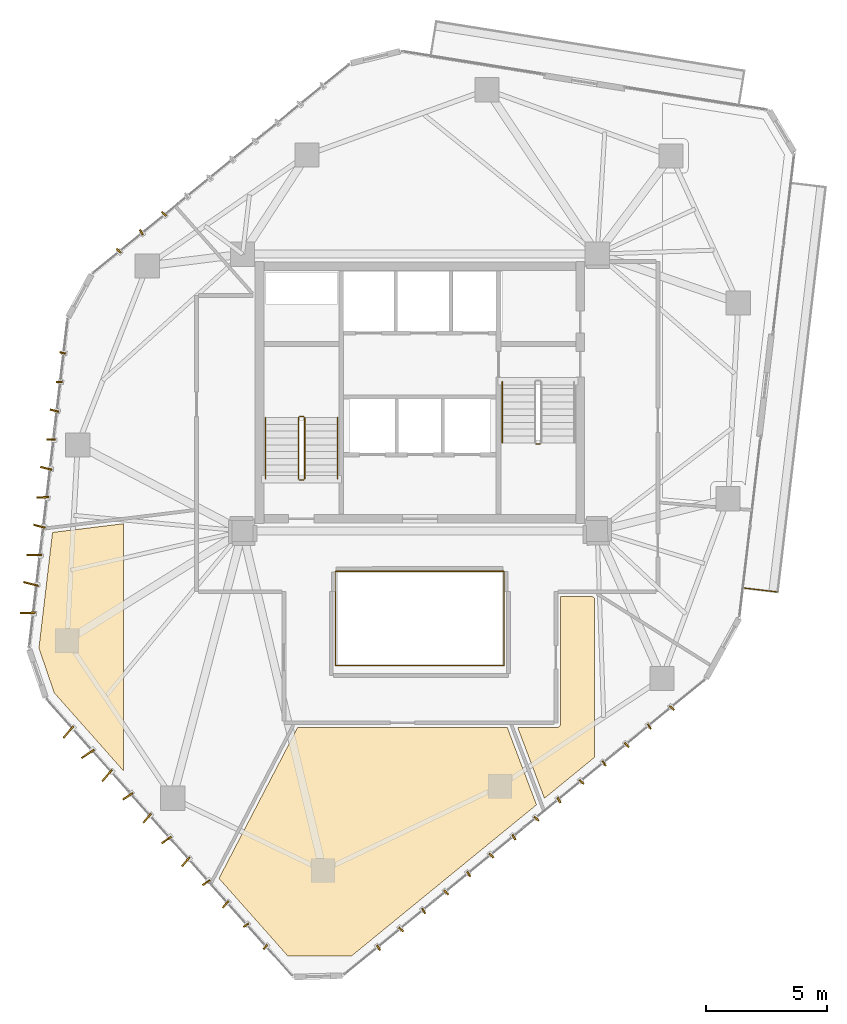
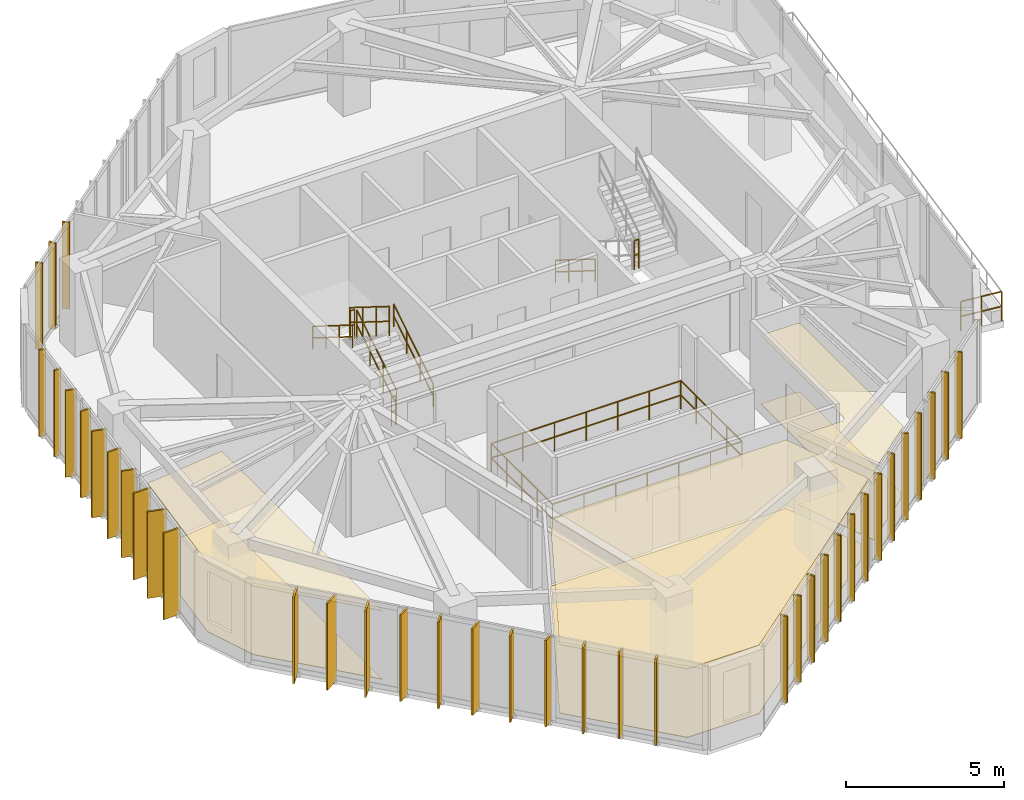
# One storey, part 21 of 22: 38 shading devices, 13 railings, 6 coverings.
"""IFC4 building model written with IfcOpenShell, lengths in metres."""

from ifc_helpers import new_model, si_unit, direction, frame, origin, origin_2d, place, context, subcontext, project, spatial, polyline, rectangle, circle, outline, extrude, source, transform, mapped, material, layer, layer_set, type_object, type_shapes, element, save


model = new_model("IFC4")

# Units and contexts
model_context = context("Model", 3, precision=1e-05, world=origin(), true_north=direction((0.0, 1.0)))
body_context = subcontext(model_context, "Body", "Model", "MODEL_VIEW")
ifc_project = project(units=[si_unit("LENGTHUNIT", "METRE"), si_unit("AREAUNIT", "SQUARE_METRE"), si_unit("VOLUMEUNIT", "CUBIC_METRE"), si_unit("PLANEANGLEUNIT", "RADIAN"), si_unit("MASSUNIT", "GRAM", prefix="KILO")], contexts=[model_context])

# Site, building, storey
site_placement = place(None, origin())
site = spatial("IfcSite", under=ifc_project, at=site_placement, CompositionType="ELEMENT")
building_placement = place(site_placement, origin())
building = spatial("IfcBuilding", under=site, at=building_placement, Name="Talar Marvaseh", CompositionType="ELEMENT")
storey_placement = place(building_placement, frame((0.0, 0.0, 208.199951171875)))
storey = spatial("IfcBuildingStorey", under=building, at=storey_placement, Name="L54", CompositionType="ELEMENT", Elevation=208.199951171875)

# Railings
ifc_material_1 = material(Name="Stainless Steel Grade 316", Category="steel")
railing_type_1 = type_object("IfcRailingType", Name="Brushed Stainless Wall Pitch Handrail 900", PredefinedType="HANDRAIL", material=ifc_material_1)
railing_1_placement = place(storey_placement, frame((22.610107421875, 27.64990234375, 0.175048828125)))
element("IfcRailing", 1, at=railing_1_placement, inside=storey, type_object=railing_type_1, Name="L54 ST-1 stair handrail 1", PredefinedType="HANDRAIL", context=body_context, shape_type="SweptSolid", body=[
    extrude(circle(Radius=0.02392578125, at=origin_2d()), frame((0.0, 0.0, 0.8759765625), z_axis=(0.0, 0.848007534815, 0.529984170421), x_axis=(-1.0, 0.0, 0.0)), (0.0, 0.0, 1.0), 2.9716796875),
    extrude(circle(Radius=0.02392578125, at=origin_2d()), frame((0.0, 0.0, 0.42578125), z_axis=(0.0, 0.848007534815, 0.529984170421), x_axis=(-1.0, 0.0, 0.0)), (0.0, 0.0, 1.0), 2.9716796875),
    extrude(circle(Radius=0.02099609375, at=origin_2d()), origin(), (0.0, 0.0, 1.0), 0.851806640625),
    extrude(circle(Radius=0.02099609375, at=origin_2d()), frame((0.0, 0.840087890625, 0.52490234375)), (0.0, 0.0, 1.0), 0.851806640625),
    extrude(circle(Radius=0.02099609375, at=origin_2d()), frame((0.0, 1.679931640625, 1.050048828125)), (0.0, 0.0, 1.0), 0.851806640625),
    extrude(circle(Radius=0.02099609375, at=origin_2d()), frame((0.0, 2.52001953125, 1.574951171875)), (0.0, 0.0, 1.0), 0.851806640625),
])
for number, where, name in (
    (2, (19.64990234375, 30.169921875, 1.925048828125), "L54 ST-1 stair handrail 2"),
    (3, (29.389892578125, 31.64990234375, 0.175048828125), "L54 ST-2 stair handrail 1"),
):
    element("IfcRailing", number, at=place(storey_placement, frame(where)), inside=storey, type_object=railing_type_1, Name=name, PredefinedType="HANDRAIL", context=body_context, shape_type="SweptSolid", body=[
        extrude(circle(Radius=0.02392578125, at=origin_2d()), frame((0.0, 0.0, 0.8759765625), z_axis=(0.0, -0.848007534815, 0.529984170421), x_axis=(1.0, 0.0, 0.0)), (0.0, 0.0, 1.0), 2.9716796875),
        extrude(circle(Radius=0.02392578125, at=origin_2d()), frame((0.0, 0.0, 0.42578125), z_axis=(0.0, -0.848007534815, 0.529984170421), x_axis=(1.0, 0.0, 0.0)), (0.0, 0.0, 1.0), 2.9716796875),
        extrude(circle(Radius=0.02099609375, at=origin_2d()), origin(), (0.0, 0.0, 1.0), 0.851806640625),
        extrude(circle(Radius=0.02099609375, at=origin_2d()), frame((0.0, -0.840087890625, 0.52490234375)), (0.0, 0.0, 1.0), 0.851806640625),
        extrude(circle(Radius=0.02099609375, at=origin_2d()), frame((0.0, -1.679931640625, 1.050048828125)), (0.0, 0.0, 1.0), 0.851806640625),
        extrude(circle(Radius=0.02099609375, at=origin_2d()), frame((0.0, -2.52001953125, 1.574951171875)), (0.0, 0.0, 1.0), 0.851806640625),
    ])
ifc_material_2 = material(Name="Tempered Clear Glass", Category="glass")
railing_type_2 = type_object("IfcRailingType", Name="External Laminated Glass Terrace Balustrade 1150", PredefinedType="BALUSTRADE", material=ifc_material_2)
railing_2_placement = place(storey_placement, frame((40.718505859375, 22.989013671875, 0.0)))
element("IfcRailing", 4, at=railing_2_placement, inside=storey, type_object=railing_type_2, Name="L54 External Terrace Balustrade 2 3", PredefinedType="BALUSTRADE", context=body_context, shape_type="SweptSolid", body=[
    extrude(circle(Radius=0.02392578125, at=origin_2d()), frame((0.0, 0.0, 1.1259765625), z_axis=(-0.993043817652, 0.117745387272, 0.0), x_axis=(-0.117745387272, -0.993043817652, 0.0)), (0.0, 0.0, 1.0), 1.409912109375),
    extrude(circle(Radius=0.02392578125, at=origin_2d()), frame((0.0, 0.0, 0.55078125), z_axis=(-0.993043817652, 0.117745387272, 0.0), x_axis=(-0.117745387272, -0.993043817652, 0.0)), (0.0, 0.0, 1.0), 1.409912109375),
    extrude(circle(Radius=0.02099609375, at=origin_2d()), origin(), (0.0, 0.0, 1.0), 1.101806640625),
    extrude(circle(Radius=0.02099609375, at=origin_2d()), frame((-0.7001953125, 0.0830078125, 0.0)), (0.0, 0.0, 1.0), 1.101806640625),
    extrude(circle(Radius=0.02099609375, at=origin_2d()), frame((-1.400146484375, 0.166015625, 0.0)), (0.0, 0.0, 1.0), 1.101806640625),
])
railing_type_3 = type_object("IfcRailingType", Name="Interior Atrium Edge Balustrade 1120", PredefinedType="BALUSTRADE", material=ifc_material_2)
railing_3_placement = place(storey_placement, frame((22.5302734375, 19.9609375, 0.0)))
element("IfcRailing", 5, at=railing_3_placement, inside=storey, type_object=railing_type_3, Name="L54 Internal Daylight Atrium Balustrade 1", PredefinedType="BALUSTRADE", context=body_context, shape_type="SweptSolid", body=[
    extrude(circle(Radius=0.02392578125, at=origin_2d()), frame((0.0, 0.0, 1.09619140625), z_axis=(1.0, 0.0, 0.0), x_axis=(0.0, 1.0, 0.0)), (0.0, 0.0, 1.0), 6.939453125),
    extrude(circle(Radius=0.02392578125, at=origin_2d()), frame((0.0, 0.0, 0.5361328125), z_axis=(1.0, 0.0, 0.0), x_axis=(0.0, 1.0, 0.0)), (0.0, 0.0, 1.0), 6.939453125),
    extrude(circle(Radius=0.02099609375, at=origin_2d()), origin(), (0.0, 0.0, 1.0), 1.072021484375),
    extrude(circle(Radius=0.02099609375, at=origin_2d()), frame((1.156494140625, 0.0, 0.0)), (0.0, 0.0, 1.0), 1.072021484375),
    extrude(circle(Radius=0.02099609375, at=origin_2d()), frame((2.313232421875, 0.0, 0.0)), (0.0, 0.0, 1.0), 1.072021484375),
    extrude(circle(Radius=0.02099609375, at=origin_2d()), frame((3.4697265625, 0.0, 0.0)), (0.0, 0.0, 1.0), 1.072021484375),
    extrude(circle(Radius=0.02099609375, at=origin_2d()), frame((4.626220703125, 0.0, 0.0)), (0.0, 0.0, 1.0), 1.072021484375),
    extrude(circle(Radius=0.02099609375, at=origin_2d()), frame((5.782958984375, 0.0, 0.0)), (0.0, 0.0, 1.0), 1.072021484375),
    extrude(circle(Radius=0.02099609375, at=origin_2d()), frame((6.939453125, 0.0, 0.0)), (0.0, 0.0, 1.0), 1.072021484375),
])
railing_4_placement = place(storey_placement, frame((29.4697265625, 19.9609375, 0.0)))
element("IfcRailing", 6, at=railing_4_placement, inside=storey, type_object=railing_type_3, Name="L54 Internal Daylight Atrium Balustrade 2", PredefinedType="BALUSTRADE", context=body_context, shape_type="SweptSolid", body=[
    extrude(circle(Radius=0.02392578125, at=origin_2d()), frame((0.0, 0.0, 1.09619140625), z_axis=(0.0, 1.0, 0.0), x_axis=(-1.0, 0.0, 0.0)), (0.0, 0.0, 1.0), 3.878173828125),
    extrude(circle(Radius=0.02392578125, at=origin_2d()), frame((0.0, 0.0, 0.5361328125), z_axis=(0.0, 1.0, 0.0), x_axis=(-1.0, 0.0, 0.0)), (0.0, 0.0, 1.0), 3.878173828125),
    extrude(circle(Radius=0.02099609375, at=origin_2d()), origin(), (0.0, 0.0, 1.0), 1.072021484375),
    extrude(circle(Radius=0.02099609375, at=origin_2d()), frame((0.0, 0.969482421875, 0.0)), (0.0, 0.0, 1.0), 1.072021484375),
    extrude(circle(Radius=0.02099609375, at=origin_2d()), frame((0.0, 1.93896484375, 0.0)), (0.0, 0.0, 1.0), 1.072021484375),
    extrude(circle(Radius=0.02099609375, at=origin_2d()), frame((0.0, 2.90869140625, 0.0)), (0.0, 0.0, 1.0), 1.072021484375),
    extrude(circle(Radius=0.02099609375, at=origin_2d()), frame((0.0, 3.878173828125, 0.0)), (0.0, 0.0, 1.0), 1.072021484375),
])
railing_5_placement = place(storey_placement, frame((29.4697265625, 23.839111328125, 0.0)))
element("IfcRailing", 7, at=railing_5_placement, inside=storey, type_object=railing_type_3, Name="L54 Internal Daylight Atrium Balustrade 3", PredefinedType="BALUSTRADE", context=body_context, shape_type="SweptSolid", body=[
    extrude(circle(Radius=0.02392578125, at=origin_2d()), frame((0.0, 0.0, 1.09619140625), z_axis=(-1.0, 0.0, 0.0), x_axis=(0.0, -1.0, 0.0)), (0.0, 0.0, 1.0), 6.939453125),
    extrude(circle(Radius=0.02392578125, at=origin_2d()), frame((0.0, 0.0, 0.5361328125), z_axis=(-1.0, 0.0, 0.0), x_axis=(0.0, -1.0, 0.0)), (0.0, 0.0, 1.0), 6.939453125),
    extrude(circle(Radius=0.02099609375, at=origin_2d()), origin(), (0.0, 0.0, 1.0), 1.072021484375),
    extrude(circle(Radius=0.02099609375, at=origin_2d()), frame((-1.156494140625, 0.0, 0.0)), (0.0, 0.0, 1.0), 1.072021484375),
    extrude(circle(Radius=0.02099609375, at=origin_2d()), frame((-2.313232421875, 0.0, 0.0)), (0.0, 0.0, 1.0), 1.072021484375),
    extrude(circle(Radius=0.02099609375, at=origin_2d()), frame((-3.4697265625, 0.0, 0.0)), (0.0, 0.0, 1.0), 1.072021484375),
    extrude(circle(Radius=0.02099609375, at=origin_2d()), frame((-4.626220703125, 0.0, 0.0)), (0.0, 0.0, 1.0), 1.072021484375),
    extrude(circle(Radius=0.02099609375, at=origin_2d()), frame((-5.782958984375, 0.0, 0.0)), (0.0, 0.0, 1.0), 1.072021484375),
    extrude(circle(Radius=0.02099609375, at=origin_2d()), frame((-6.939453125, 0.0, 0.0)), (0.0, 0.0, 1.0), 1.072021484375),
])
railing_6_placement = place(storey_placement, frame((22.5302734375, 23.839111328125, 0.0)))
element("IfcRailing", 8, at=railing_6_placement, inside=storey, type_object=railing_type_3, Name="L54 Internal Daylight Atrium Balustrade 4", PredefinedType="BALUSTRADE", context=body_context, shape_type="SweptSolid", body=[
    extrude(circle(Radius=0.02392578125, at=origin_2d()), frame((0.0, 0.0, 1.09619140625), z_axis=(0.0, -1.0, 0.0), x_axis=(1.0, 0.0, 0.0)), (0.0, 0.0, 1.0), 3.878173828125),
    extrude(circle(Radius=0.02392578125, at=origin_2d()), frame((0.0, 0.0, 0.5361328125), z_axis=(0.0, -1.0, 0.0), x_axis=(1.0, 0.0, 0.0)), (0.0, 0.0, 1.0), 3.878173828125),
    extrude(circle(Radius=0.02099609375, at=origin_2d()), origin(), (0.0, 0.0, 1.0), 1.072021484375),
    extrude(circle(Radius=0.02099609375, at=origin_2d()), frame((0.0, -0.969482421875, 0.0)), (0.0, 0.0, 1.0), 1.072021484375),
    extrude(circle(Radius=0.02099609375, at=origin_2d()), frame((0.0, -1.93896484375, 0.0)), (0.0, 0.0, 1.0), 1.072021484375),
    extrude(circle(Radius=0.02099609375, at=origin_2d()), frame((0.0, -2.90869140625, 0.0)), (0.0, 0.0, 1.0), 1.072021484375),
    extrude(circle(Radius=0.02099609375, at=origin_2d()), frame((0.0, -3.878173828125, 0.0)), (0.0, 0.0, 1.0), 1.072021484375),
])
railing_type_4 = type_object("IfcRailingType", Name="Painted Steel Core Stair Well Guardrail 1150", PredefinedType="GUARDRAIL", material=ifc_material_1)
railing_7_placement = place(storey_placement, frame((21.260009765625, 27.64990234375, 0.175048828125)))
element("IfcRailing", 9, at=railing_7_placement, inside=storey, type_object=railing_type_4, Name="L54 ST-1 stair guard 1", PredefinedType="GUARDRAIL", context=body_context, shape_type="SweptSolid", body=[
    extrude(circle(Radius=0.02392578125, at=origin_2d()), frame((0.0, 0.0, 1.1259765625), z_axis=(0.0, 0.848007534815, 0.529984170421), x_axis=(-1.0, 0.0, 0.0)), (0.0, 0.0, 1.0), 2.9716796875),
    extrude(circle(Radius=0.02392578125, at=origin_2d()), frame((0.0, 0.0, 0.55078125), z_axis=(0.0, 0.848007534815, 0.529984170421), x_axis=(-1.0, 0.0, 0.0)), (0.0, 0.0, 1.0), 2.9716796875),
    extrude(circle(Radius=0.02099609375, at=origin_2d()), origin(), (0.0, 0.0, 1.0), 1.101806640625),
    extrude(circle(Radius=0.02099609375, at=origin_2d()), frame((0.0, 0.840087890625, 0.52490234375)), (0.0, 0.0, 1.0), 1.101806640625),
    extrude(circle(Radius=0.02099609375, at=origin_2d()), frame((0.0, 1.679931640625, 1.050048828125)), (0.0, 0.0, 1.0), 1.101806640625),
    extrude(circle(Radius=0.02099609375, at=origin_2d()), frame((0.0, 2.52001953125, 1.574951171875)), (0.0, 0.0, 1.0), 1.101806640625),
])
railing_8_placement = place(storey_placement, frame((21.2099609375, 30.219970703125, 1.75)))
element("IfcRailing", 10, at=railing_8_placement, inside=storey, type_object=railing_type_4, Name="L54 ST-1 stair guard 2", PredefinedType="GUARDRAIL", context=body_context, shape_type="SweptSolid", body=[
    extrude(circle(Radius=0.02392578125, at=origin_2d()), frame((0.0, 0.0, 1.1259765625), z_axis=(-1.0, 0.0, 0.0), x_axis=(0.0, -1.0, 0.0)), (0.0, 0.0, 1.0), 0.159912109375),
    extrude(circle(Radius=0.02392578125, at=origin_2d()), frame((0.0, 0.0, 0.55078125), z_axis=(-1.0, 0.0, 0.0), x_axis=(0.0, -1.0, 0.0)), (0.0, 0.0, 1.0), 0.159912109375),
    extrude(circle(Radius=0.02099609375, at=origin_2d()), origin(), (0.0, 0.0, 1.0), 1.101806640625),
    extrude(circle(Radius=0.02099609375, at=origin_2d()), frame((-0.159912109375, 0.0, 0.0)), (0.0, 0.0, 1.0), 1.101806640625),
])
railing_9_placement = place(storey_placement, frame((21.0, 30.169921875, 1.925048828125)))
element("IfcRailing", 11, at=railing_9_placement, inside=storey, type_object=railing_type_4, Name="L54 ST-1 stair guard 3", PredefinedType="GUARDRAIL", context=body_context, shape_type="SweptSolid", body=[
    extrude(circle(Radius=0.02392578125, at=origin_2d()), frame((0.0, 0.0, 1.1259765625), z_axis=(0.0, -0.848007534815, 0.529984170421), x_axis=(1.0, 0.0, 0.0)), (0.0, 0.0, 1.0), 2.9716796875),
    extrude(circle(Radius=0.02392578125, at=origin_2d()), frame((0.0, 0.0, 0.55078125), z_axis=(0.0, -0.848007534815, 0.529984170421), x_axis=(1.0, 0.0, 0.0)), (0.0, 0.0, 1.0), 2.9716796875),
    extrude(circle(Radius=0.02099609375, at=origin_2d()), origin(), (0.0, 0.0, 1.0), 1.101806640625),
    extrude(circle(Radius=0.02099609375, at=origin_2d()), frame((0.0, -0.840087890625, 0.52490234375)), (0.0, 0.0, 1.0), 1.101806640625),
    extrude(circle(Radius=0.02099609375, at=origin_2d()), frame((0.0, -1.679931640625, 1.050048828125)), (0.0, 0.0, 1.0), 1.101806640625),
    extrude(circle(Radius=0.02099609375, at=origin_2d()), frame((0.0, -2.52001953125, 1.574951171875)), (0.0, 0.0, 1.0), 1.101806640625),
])
railing_10_placement = place(storey_placement, frame((21.2099609375, 27.60009765625, 0.0)))
element("IfcRailing", 12, at=railing_10_placement, inside=storey, type_object=railing_type_4, Name="L54 ST-1 stair guard 4", PredefinedType="GUARDRAIL", context=body_context, shape_type="SweptSolid", body=[
    extrude(circle(Radius=0.02392578125, at=origin_2d()), frame((0.0, 0.0, 1.1259765625), z_axis=(-1.0, 0.0, 0.0), x_axis=(0.0, -1.0, 0.0)), (0.0, 0.0, 1.0), 0.159912109375),
    extrude(circle(Radius=0.02392578125, at=origin_2d()), frame((0.0, 0.0, 0.55078125), z_axis=(-1.0, 0.0, 0.0), x_axis=(0.0, -1.0, 0.0)), (0.0, 0.0, 1.0), 0.159912109375),
    extrude(circle(Radius=0.02099609375, at=origin_2d()), origin(), (0.0, 0.0, 1.0), 1.101806640625),
    extrude(circle(Radius=0.02099609375, at=origin_2d()), frame((-0.159912109375, 0.0, 0.0)), (0.0, 0.0, 1.0), 1.101806640625),
])
railing_11_placement = place(storey_placement, frame((30.7900390625, 29.080078125, 1.75)))
element("IfcRailing", 13, at=railing_11_placement, inside=storey, type_object=railing_type_4, Name="L54 ST-2 stair guard 2", PredefinedType="GUARDRAIL", context=body_context, shape_type="SweptSolid", body=[
    extrude(circle(Radius=0.02392578125, at=origin_2d()), frame((0.0, 0.0, 1.1259765625), z_axis=(1.0, 0.0, 0.0), x_axis=(0.0, 1.0, 0.0)), (0.0, 0.0, 1.0), 0.159912109375),
    extrude(circle(Radius=0.02392578125, at=origin_2d()), frame((0.0, 0.0, 0.55078125), z_axis=(1.0, 0.0, 0.0), x_axis=(0.0, 1.0, 0.0)), (0.0, 0.0, 1.0), 0.159912109375),
    extrude(circle(Radius=0.02099609375, at=origin_2d()), origin(), (0.0, 0.0, 1.0), 1.101806640625),
    extrude(circle(Radius=0.02099609375, at=origin_2d()), frame((0.159912109375, 0.0, 0.0)), (0.0, 0.0, 1.0), 1.101806640625),
])

# Coverings
ifc_material_3 = material(Name="Mineral Fibre Acoustic Ceiling")
ifc_layer_1 = layer(ifc_material_3, 0.02490234375)
ifc_layer_set_1 = layer_set([ifc_layer_1], Name="Mineral Fibre Acoustic Ceiling")
covering_type_1 = type_object("IfcCoveringType", Name="Perforated Mineral Fibre Acoustic Suspended Ceiling", PredefinedType="CEILING", material=ifc_layer_set_1)
covering_1_placement = place(storey_placement, frame((0.0, 0.0, 2.650146484375)))
element("IfcCovering", 14, at=covering_1_placement, inside=storey, type_object=covering_type_1, Name="L54 Gallery Concierge Reception Acoustic Ceiling", PredefinedType="CEILING", context=body_context, shape_type="SweptSolid", body=[
    extrude(outline(polyline([(13.800048828125, 25.800537109375), (13.800048828125, 15.617919921875), (10.9423828125, 18.8369140625), (10.313720703125, 20.675537109375), (10.872314453125, 25.44091796875), (13.800048828125, 25.800537109375)])), origin(), (0.0, 0.0, 1.0), 0.02490234375),
])
covering_2_placement = place(storey_placement, frame((0.0, 0.0, 2.650146484375)))
element("IfcCovering", 15, at=covering_2_placement, inside=storey, type_object=covering_type_1, Name="L54 Museum Publication Bookshop Acoustic Ceiling", PredefinedType="CEILING", context=body_context, shape_type="SweptSolid", body=[
    extrude(outline(polyline([(20.960693359375, 17.39990234375), (29.602294921875, 17.39990234375), (30.802001953125, 14.225341796875), (23.184814453125, 8.0), (20.562744140625, 8.0), (17.726318359375, 11.195068359375), (20.960693359375, 17.39990234375)])), origin(), (0.0, 0.0, 1.0), 0.02490234375),
])
covering_3_placement = place(storey_placement, frame((0.0, 0.0, 2.650146484375)))
element("IfcCovering", 16, at=covering_3_placement, inside=storey, type_object=covering_type_1, Name="L54 Accessible WC Block Acoustic Ceiling", PredefinedType="CEILING", context=body_context, shape_type="SweptSolid", body=[
    extrude(outline(polyline([(31.60009765625, 17.39990234375), (31.61962890625, 17.40087890625), (31.638916015625, 17.40380859375), (31.658203125, 17.40869140625), (31.676513671875, 17.415283203125), (31.6943359375, 17.423583984375), (31.711181640625, 17.43359375), (31.726806640625, 17.4453125), (31.741455078125, 17.45849609375), (31.754638671875, 17.47314453125), (31.766357421875, 17.489013671875), (31.7763671875, 17.505615234375), (31.784912109375, 17.5234375), (31.79150390625, 17.5419921875), (31.796142578125, 17.56103515625), (31.799072265625, 17.580322265625), (31.800048828125, 17.60009765625), (31.800048828125, 22.800048828125), (33.099365234375, 22.800048828125), (33.199951171875, 22.73681640625), (33.199951171875, 16.185302734375), (31.128662109375, 14.492431640625), (30.030029296875, 17.39990234375), (31.60009765625, 17.39990234375)])), origin(), (0.0, 0.0, 1.0), 0.02490234375),
])
ifc_material_4 = material(Name="Porcelain Stoneware Tile", Category="masonry")
ifc_layer_2 = layer(ifc_material_4, 0.02001953125)
ifc_layer_set_2 = layer_set([ifc_layer_2], Name="Porcelain Stoneware Tile")
covering_type_2 = type_object("IfcCoveringType", Name="Polished Porcelain Stoneware Gallery Flooring", PredefinedType="FLOORING", material=ifc_layer_set_2)
covering_4_placement = place(storey_placement, origin())
element("IfcCovering", 17, at=covering_4_placement, inside=storey, type_object=covering_type_2, Name="L54 Gallery Concierge Reception Flooring", PredefinedType="FLOORING", context=body_context, shape_type="SweptSolid", body=[
    extrude(outline(polyline([(13.800048828125, 25.800537109375), (13.800048828125, 15.617919921875), (10.9423828125, 18.8369140625), (10.313720703125, 20.675537109375), (10.872314453125, 25.44091796875), (13.800048828125, 25.800537109375)])), origin(), (0.0, 0.0, 1.0), 0.02001953125),
])
covering_5_placement = place(storey_placement, origin())
element("IfcCovering", 18, at=covering_5_placement, inside=storey, type_object=covering_type_2, Name="L54 Museum Publication Bookshop Flooring", PredefinedType="FLOORING", context=body_context, shape_type="SweptSolid", body=[
    extrude(outline(polyline([(20.960693359375, 17.39990234375), (29.602294921875, 17.39990234375), (30.802001953125, 14.225341796875), (23.184814453125, 8.0), (20.562744140625, 8.0), (17.726318359375, 11.195068359375), (20.960693359375, 17.39990234375)])), origin(), (0.0, 0.0, 1.0), 0.02001953125),
])
covering_6_placement = place(storey_placement, origin())
element("IfcCovering", 19, at=covering_6_placement, inside=storey, type_object=covering_type_2, Name="L54 Accessible WC Block Flooring", PredefinedType="FLOORING", context=body_context, shape_type="SweptSolid", body=[
    extrude(outline(polyline([(31.60009765625, 17.39990234375), (31.61962890625, 17.40087890625), (31.638916015625, 17.40380859375), (31.658203125, 17.40869140625), (31.676513671875, 17.415283203125), (31.6943359375, 17.423583984375), (31.711181640625, 17.43359375), (31.726806640625, 17.4453125), (31.741455078125, 17.45849609375), (31.754638671875, 17.47314453125), (31.766357421875, 17.489013671875), (31.7763671875, 17.505615234375), (31.784912109375, 17.5234375), (31.79150390625, 17.5419921875), (31.796142578125, 17.56103515625), (31.799072265625, 17.580322265625), (31.800048828125, 17.60009765625), (31.800048828125, 22.800048828125), (33.099365234375, 22.800048828125), (33.199951171875, 22.73681640625), (33.199951171875, 16.185302734375), (31.128662109375, 14.492431640625), (30.030029296875, 17.39990234375), (31.60009765625, 17.39990234375)])), origin(), (0.0, 0.0, 1.0), 0.02001953125),
])

# Shading devices
ifc_material_5 = material(Name="Anodised Champagne Bronze Aluminium", Category="aluminium")
ifc_layer_3 = layer(ifc_material_5, 0.06494140625)
ifc_layer_set_3 = layer_set([ifc_layer_3], Name="Anodised Champagne Bronze Aluminium")
shading_device_type_1 = type_object("IfcShadingDeviceType", Name="Sawtooth Champagne Bronze Vertical Fin 240", PredefinedType="USERDEFINED", material=ifc_layer_set_3)
shared_shape_1 = source(origin(), body_context, "Body", "SweptSolid", [
    extrude(rectangle(XDim=0.239990234375, YDim=0.06494140625, at=origin_2d()), origin(), (0.0, 0.0, 1.0), 3.35009765625),
])
type_shapes(shading_device_type_1, [shared_shape_1])
for number, where, z_axis, x_axis, name in (
    (20, (19.639404296875, 8.369873046875, -0.1201171875), (0.0, 0.0, 1.0), (-0.648119901063, -0.761538307537, 0.0), "L54 Sawtooth Vertical Solar Fin"),
    (21, (18.8427734375, 9.267333984375, -0.1201171875), (0.0, 0.0, 1.0), (-0.83292124071, -0.553391549243, 0.0), "L54 Sawtooth Vertical Solar Fin"),
    (22, (11.150634765625, 31.641357421875, -0.1201171875), (0.0, 0.0, 1.0), (-0.999734629042, -0.023036308188, 0.0), "L54 Sawtooth Vertical Solar Fin"),
    (23, (11.290283203125, 32.833251953125, -0.1201171875), (0.0, 0.0, 1.0), (-0.967356272077, 0.253420288991, 0.0), "L54 Sawtooth Vertical Solar Fin"),
    (24, (13.598388671875, 37.04052734375, -0.1201171875), (0.0, 0.0, 1.0), (-0.73349265005, 0.679697382901, 0.0), "L54 Sawtooth Vertical Solar Fin"),
    (25, (14.528564453125, 37.798583984375, -0.1201171875), (0.0, 0.0, 1.0), (-0.517728399366, 0.855545033584, 0.0), "L54 Sawtooth Vertical Solar Fin"),
    (26, (15.458740234375, 38.556884765625, -0.1201171875), (0.0, 0.0, 1.0), (-0.73349265005, 0.679697382901, 0.0), "L54 Sawtooth Vertical Solar Fin"),
    (27, (36.37646484375, 18.20654296875, -0.1201171875), (0.0, 0.0, 1.0), (0.73444097133, -0.678672571739, 0.0), "L54 Sawtooth Vertical Solar Fin"),
    (28, (35.447265625, 17.447265625, -0.1201171875), (0.0, 0.0, 1.0), (0.518922460528, -0.854821314638, 0.0), "L54 Sawtooth Vertical Solar Fin"),
    (29, (34.51806640625, 16.687744140625, -0.1201171875), (0.0, 0.0, 1.0), (0.73444097133, -0.678672571739, 0.0), "L54 Sawtooth Vertical Solar Fin"),
    (30, (33.5888671875, 15.928466796875, -0.1201171875), (0.0, 0.0, 1.0), (0.518922460528, -0.854821314638, 0.0), "L54 Sawtooth Vertical Solar Fin"),
    (31, (32.65966796875, 15.169189453125, -0.1201171875), (0.0, 0.0, 1.0), (0.73444097133, -0.678672571739, 0.0), "L54 Sawtooth Vertical Solar Fin"),
    (32, (31.730712890625, 14.40966796875, -0.1201171875), (0.0, 0.0, 1.0), (0.518922460528, -0.854821314638, 0.0), "L54 Sawtooth Vertical Solar Fin"),
    (33, (30.801513671875, 13.650390625, -0.1201171875), (0.0, 0.0, 1.0), (0.73444097133, -0.678672571739, 0.0), "L54 Sawtooth Vertical Solar Fin"),
    (34, (29.872314453125, 12.890869140625, -0.1201171875), (0.0, 0.0, 1.0), (0.518922460528, -0.854821314638, 0.0), "L54 Sawtooth Vertical Solar Fin"),
    (35, (28.943115234375, 12.131591796875, -0.1201171875), (0.0, 0.0, 1.0), (0.73444097133, -0.678672571739, 0.0), "L54 Sawtooth Vertical Solar Fin"),
    (36, (28.013916015625, 11.3720703125, -0.1201171875), (0.0, 0.0, 1.0), (0.518922460528, -0.854821314638, 0.0), "L54 Sawtooth Vertical Solar Fin"),
    (37, (27.084716796875, 10.61279296875, -0.1201171875), (0.0, 0.0, 1.0), (0.73444097133, -0.678672571739, 0.0), "L54 Sawtooth Vertical Solar Fin"),
    (38, (26.155517578125, 9.853515625, -0.1201171875), (0.0, 0.0, 1.0), (0.518922460528, -0.854821314638, 0.0), "L54 Sawtooth Vertical Solar Fin"),
    (39, (25.2265625, 9.093994140625, -0.1201171875), (0.0, 0.0, 1.0), (0.73444097133, -0.678672571739, 0.0), "L54 Sawtooth Vertical Solar Fin"),
    (40, (24.29736328125, 8.334716796875, -0.1201171875), (0.0, 0.0, 1.0), (0.518922460528, -0.854821314638, 0.0), "L54 Sawtooth Vertical Solar Fin"),
):
    element("IfcShadingDevice", number, at=place(storey_placement, frame(where, z_axis=z_axis, x_axis=x_axis)), inside=storey, type_object=shading_device_type_1, Name=name, ObjectType="FIN", PredefinedType="USERDEFINED", context=body_context, shape_type="MappedRepresentation", body=[
        mapped(shared_shape_1, transform((0.0, 0.0, 0.0), x_axis=(1.0, 0.0, 0.0), y_axis=(0.0, 1.0, 0.0), z_axis=(0.0, 0.0, 1.0), scale=1.0)),
    ])
ifc_layer_4 = layer(ifc_material_5, 0.06494140625)
ifc_layer_set_4 = layer_set([ifc_layer_4], Name="Anodised Champagne Bronze Aluminium")
shading_device_type_2 = type_object("IfcShadingDeviceType", Name="Sawtooth Champagne Bronze Vertical Fin 360", PredefinedType="USERDEFINED", material=ifc_layer_set_4)
shared_shape_2 = source(origin(), body_context, "Body", "SweptSolid", [
    extrude(rectangle(XDim=0.360107421875, YDim=0.06494140625, at=origin_2d()), origin(), (0.0, 0.0, 1.0), 3.35009765625),
])
type_shapes(shading_device_type_2, [shared_shape_2])
for number, where, z_axis, x_axis, name in (
    (41, (18.001220703125, 10.125, -0.1201171875), (0.0, 0.0, 1.0), (-0.648119901063, -0.761538307537, 0.0), "L54 Sawtooth Vertical Solar Fin"),
    (42, (17.20458984375, 11.022216796875, -0.1201171875), (0.0, 0.0, 1.0), (-0.83292124071, -0.553391549243, 0.0), "L54 Sawtooth Vertical Solar Fin"),
    (43, (10.811767578125, 29.2646484375, -0.1201171875), (0.0, 0.0, 1.0), (-0.999734629042, -0.023036308188, 0.0), "L54 Sawtooth Vertical Solar Fin"),
    (44, (10.951416015625, 30.45654296875, -0.1201171875), (0.0, 0.0, 1.0), (-0.967356272077, 0.253420288991, 0.0), "L54 Sawtooth Vertical Solar Fin"),
):
    element("IfcShadingDevice", number, at=place(storey_placement, frame(where, z_axis=z_axis, x_axis=x_axis)), inside=storey, type_object=shading_device_type_2, Name=name, ObjectType="FIN", PredefinedType="USERDEFINED", context=body_context, shape_type="MappedRepresentation", body=[
        mapped(shared_shape_2, transform((0.0, 0.0, 0.0), x_axis=(1.0, 0.0, 0.0), y_axis=(0.0, 1.0, 0.0), z_axis=(0.0, 0.0, 1.0), scale=1.0)),
    ])
ifc_layer_5 = layer(ifc_material_5, 0.06494140625)
ifc_layer_set_5 = layer_set([ifc_layer_5], Name="Anodised Champagne Bronze Aluminium")
shading_device_type_3 = type_object("IfcShadingDeviceType", Name="Sawtooth Champagne Bronze Vertical Fin 480", PredefinedType="USERDEFINED", material=ifc_layer_set_5)
shared_shape_3 = source(origin(), body_context, "Body", "SweptSolid", [
    extrude(rectangle(XDim=0.47998046875, YDim=0.06494140625, at=origin_2d()), origin(), (0.0, 0.0, 1.0), 3.35009765625),
])
type_shapes(shading_device_type_3, [shared_shape_3])
for number, where, z_axis, x_axis, name in (
    (45, (16.36279296875, 11.8798828125, -0.1201171875), (0.0, 0.0, 1.0), (-0.648119901063, -0.761538307537, 0.0), "L54 Sawtooth Vertical Solar Fin"),
    (46, (15.56640625, 12.77734375, -0.1201171875), (0.0, 0.0, 1.0), (-0.83292124071, -0.553391549243, 0.0), "L54 Sawtooth Vertical Solar Fin"),
    (47, (14.76953125, 13.6748046875, -0.1201171875), (0.0, 0.0, 1.0), (-0.648119901063, -0.761538307537, 0.0), "L54 Sawtooth Vertical Solar Fin"),
    (48, (13.972900390625, 14.572021484375, -0.1201171875), (0.0, 0.0, 1.0), (-0.83292124071, -0.553391549243, 0.0), "L54 Sawtooth Vertical Solar Fin"),
    (49, (10.333251953125, 25.696044921875, -0.1201171875), (0.0, 0.0, 1.0), (-0.967356272077, 0.253420288991, 0.0), "L54 Sawtooth Vertical Solar Fin"),
    (50, (10.472900390625, 26.887939453125, -0.1201171875), (0.0, 0.0, 1.0), (-0.999734629042, -0.023036308188, 0.0), "L54 Sawtooth Vertical Solar Fin"),
    (51, (10.612548828125, 28.079833984375, -0.1201171875), (0.0, 0.0, 1.0), (-0.967356272077, 0.253420288991, 0.0), "L54 Sawtooth Vertical Solar Fin"),
):
    element("IfcShadingDevice", number, at=place(storey_placement, frame(where, z_axis=z_axis, x_axis=x_axis)), inside=storey, type_object=shading_device_type_3, Name=name, ObjectType="FIN", PredefinedType="USERDEFINED", context=body_context, shape_type="MappedRepresentation", body=[
        mapped(shared_shape_3, transform((0.0, 0.0, 0.0), x_axis=(1.0, 0.0, 0.0), y_axis=(0.0, 1.0, 0.0), z_axis=(0.0, 0.0, 1.0), scale=1.0)),
    ])
ifc_layer_6 = layer(ifc_material_5, 0.06494140625)
ifc_layer_set_6 = layer_set([ifc_layer_6], Name="Anodised Champagne Bronze Aluminium")
shading_device_type_4 = type_object("IfcShadingDeviceType", Name="Sawtooth Champagne Bronze Vertical Fin 620", PredefinedType="USERDEFINED", material=ifc_layer_set_6)
shared_shape_4 = source(origin(), body_context, "Body", "SweptSolid", [
    extrude(rectangle(XDim=0.6201171875, YDim=0.06494140625, at=origin_2d()), origin(), (0.0, 0.0, 1.0), 3.35009765625),
])
type_shapes(shading_device_type_4, [shared_shape_4])
for number, where, z_axis, x_axis, name in (
    (52, (13.1240234375, 15.423095703125, -0.1201171875), (0.0, 0.0, 1.0), (-0.648119901063, -0.761538307537, 0.0), "L54 Sawtooth Vertical Solar Fin"),
    (53, (12.327392578125, 16.3203125, -0.1201171875), (0.0, 0.0, 1.0), (-0.83292124071, -0.553391549243, 0.0), "L54 Sawtooth Vertical Solar Fin"),
    (54, (11.530517578125, 17.2177734375, -0.1201171875), (0.0, 0.0, 1.0), (-0.648119901063, -0.761538307537, 0.0), "L54 Sawtooth Vertical Solar Fin"),
    (55, (9.8447265625, 22.128662109375, -0.1201171875), (0.0, 0.0, 1.0), (-0.999734629042, -0.023036308188, 0.0), "L54 Sawtooth Vertical Solar Fin"),
    (56, (9.984375, 23.320556640625, -0.1201171875), (0.0, 0.0, 1.0), (-0.967356272077, 0.253420288991, 0.0), "L54 Sawtooth Vertical Solar Fin"),
    (57, (10.1240234375, 24.512451171875, -0.1201171875), (0.0, 0.0, 1.0), (-0.999734629042, -0.023036308188, 0.0), "L54 Sawtooth Vertical Solar Fin"),
):
    element("IfcShadingDevice", number, at=place(storey_placement, frame(where, z_axis=z_axis, x_axis=x_axis)), inside=storey, type_object=shading_device_type_4, Name=name, ObjectType="FIN", PredefinedType="USERDEFINED", context=body_context, shape_type="MappedRepresentation", body=[
        mapped(shared_shape_4, transform((0.0, 0.0, 0.0), x_axis=(1.0, 0.0, 0.0), y_axis=(0.0, 1.0, 0.0), z_axis=(0.0, 0.0, 1.0), scale=1.0)),
    ])

save(model, "model.ifc")
